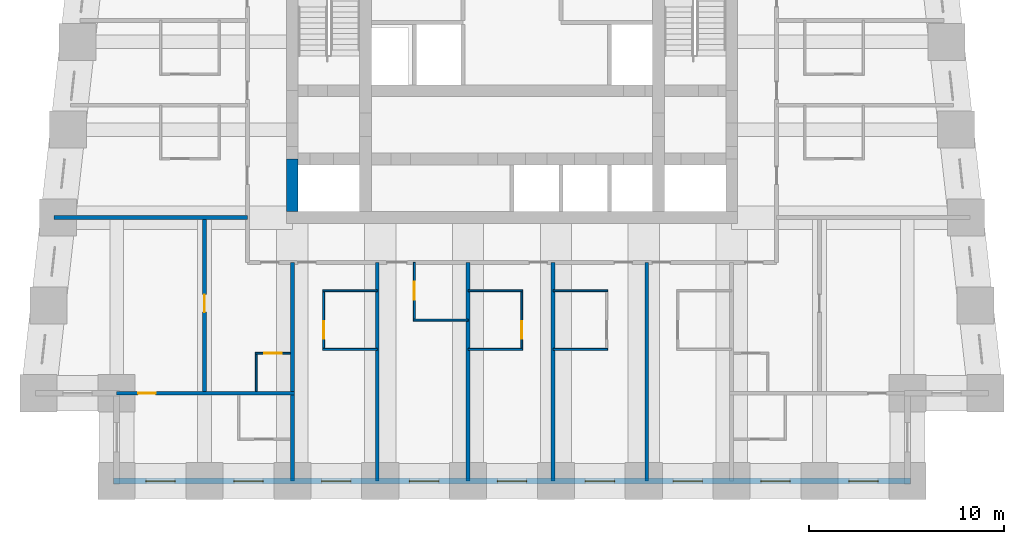
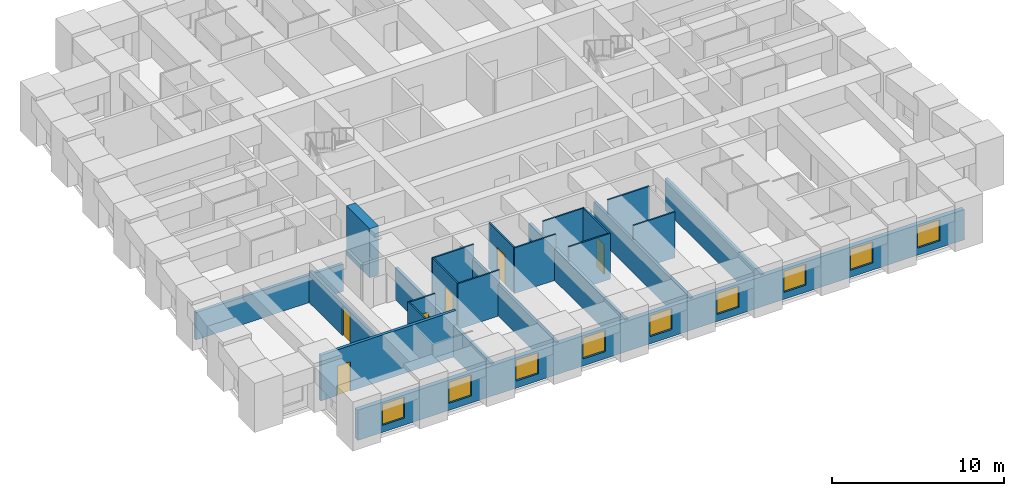
# One storey, part 2 of 8: 22 walls, 9 windows, 6 doors, 15 openings.
"""IFC4 building model written with IfcOpenShell, lengths in metres."""

from ifc_helpers import new_model, si_unit, direction, frame, frame_2d, origin, place, context, subcontext, project, spatial, rectangle, extrude, material, layer, layer_set, type_object, element, fill, save


model = new_model("IFC4")

# Units and contexts
model_context = context("Model", 3, precision=1e-05, world=origin(), true_north=direction((0.0, 1.0)))
body_context = subcontext(model_context, "Body", "Model", "MODEL_VIEW")
ifc_project = project(units=[si_unit("LENGTHUNIT", "METRE"), si_unit("AREAUNIT", "SQUARE_METRE"), si_unit("VOLUMEUNIT", "CUBIC_METRE"), si_unit("PLANEANGLEUNIT", "RADIAN"), si_unit("MASSUNIT", "GRAM", prefix="KILO")], contexts=[model_context])

# Site, building, storey
site_placement = place(None, origin())
site = spatial("IfcSite", under=ifc_project, at=site_placement, CompositionType="ELEMENT")
building_placement = place(site_placement, origin())
building = spatial("IfcBuilding", under=site, at=building_placement, Name="Kilele Tower Hotel", CompositionType="ELEMENT")
storey_placement = place(building_placement, frame((0.0, 0.0, 107.39990234375)))
storey = spatial("IfcBuildingStorey", under=building, at=storey_placement, Name="L27", CompositionType="ELEMENT", Elevation=107.39990234375)

# Walls
ifc_material_1 = material(Name="Moisture-resistant board")
ifc_layer_1 = layer(ifc_material_1, 0.10009765625)
ifc_layer_set_1 = layer_set([ifc_layer_1], Name="Moisture-resistant board")
wall_type_1 = type_object("IfcWallType", Name="Bathroom partition 100", PredefinedType="PLUMBINGWALL", material=ifc_layer_set_1)
for number, where, z_axis, x_axis, name in (
    (1, (15.050048828125, 9.75, 0.0), (0.0, 0.0, 1.0), (1.0, 0.0, 0.0), "Bathroom partition 100 L27"),
    (2, (15.050048828125, 6.75, 0.0), (0.0, 0.0, 1.0), (1.0, 0.0, 0.0), "Bathroom partition 100 L27"),
):
    element("IfcWall", number, at=place(storey_placement, frame(where, z_axis=z_axis, x_axis=x_axis)), inside=storey, type_object=wall_type_1, Name=name, PredefinedType="PLUMBINGWALL", context=body_context, shape_type="SweptSolid", body=[
        extrude(rectangle(XDim=2.800048828125, YDim=0.10009765625, at=frame_2d((1.39990234375, 0.0))), origin(), (0.0, 0.0, 1.0), 3.25),
    ])

# Wall, opening, door
wall_1_placement = place(storey_placement, frame((15.10009765625, 9.800048828125, 0.0), z_axis=(0.0, 0.0, 1.0), x_axis=(0.0, -1.0, 0.0)))
wall_1 = element("IfcWall", 3, at=wall_1_placement, inside=storey, type_object=wall_type_1, Name="Bathroom partition 100 L27", PredefinedType="PLUMBINGWALL", context=body_context, shape_type="SweptSolid", body=[
    extrude(rectangle(XDim=3.10009765625, YDim=0.10009765625, at=frame_2d((1.550048828125, 0.0))), origin(), (0.0, 0.0, 1.0), 3.25),
])
opening_1_placement = place(wall_1_placement, frame((2.5, 0.0, 0.0), z_axis=(0.0, 0.0, 1.0), x_axis=(-1.0, 0.0, 0.0)))
opening_1 = element("IfcOpeningElement", 4, at=opening_1_placement, cuts=wall_1, Name="Opening D2A", PredefinedType="OPENING", context=body_context, shape_type="SweptSolid", body=[
    extrude(rectangle(XDim=0.89990234375, YDim=2.10009765625, at=frame_2d((0.449951171875, 1.050048828125))), frame((0.0, 0.06005859375, 0.0), z_axis=(0.0, -1.0, 0.0), x_axis=(1.0, 0.0, 0.0)), (0.0, 0.0, 1.0), 0.1201171875),
])
ifc_material_2 = material(Name="Timber door leaf in hardwood frame", Category="wood")
door_type_1 = type_object("IfcDoorType", Name="Bathroom door 900", OperationType="SINGLE_SWING_LEFT", PredefinedType="DOOR", material=ifc_material_2)
door_1_placement = place(opening_1_placement, origin())
door_1 = element("IfcDoor", 5, at=door_1_placement, inside=storey, type_object=door_type_1, Name="Bathroom door 2701B", OperationType="SINGLE_SWING_LEFT", OverallHeight=2.10009765625, OverallWidth=0.89990234375, PredefinedType="DOOR", context=body_context, shape_type="SweptSolid", body=[
    extrude(rectangle(XDim=0.89990234375, YDim=2.10009765625, at=frame_2d((0.449951171875, 1.050048828125))), frame((0.0, 0.02490234375, 0.0), z_axis=(0.0, -1.0, 0.0), x_axis=(1.0, 0.0, 0.0)), (0.0, 0.0, 1.0), 0.050048828125),
])
fill(opening_1, door_1)

# Wall
wall_2_placement = place(storey_placement, frame((19.699951171875, 8.25, 0.0), z_axis=(0.0, 0.0, 1.0), x_axis=(1.0, 0.0, 0.0)))
element("IfcWall", 6, at=wall_2_placement, inside=storey, type_object=wall_type_1, Name="Bathroom partition 100 L27", PredefinedType="PLUMBINGWALL", context=body_context, shape_type="SweptSolid", body=[
    extrude(rectangle(XDim=2.800048828125, YDim=0.10009765625, at=frame_2d((1.39990234375, 0.0))), origin(), (0.0, 0.0, 1.0), 3.25),
])

# Wall, opening, door
wall_3_placement = place(storey_placement, frame((19.75, 11.199951171875, 0.0), z_axis=(0.0, 0.0, 1.0), x_axis=(0.0, -1.0, 0.0)))
wall_3 = element("IfcWall", 7, at=wall_3_placement, inside=storey, type_object=wall_type_1, Name="Bathroom partition 100 L27", PredefinedType="PLUMBINGWALL", context=body_context, shape_type="SweptSolid", body=[
    extrude(rectangle(XDim=3.0, YDim=0.10009765625, at=frame_2d((1.5, 0.0))), origin(), (0.0, 0.0, 1.0), 3.25),
])
opening_2_placement = place(wall_3_placement, frame((1.89990234375, 0.0, 0.0), z_axis=(0.0, 0.0, 1.0), x_axis=(-1.0, 0.0, 0.0)))
opening_2 = element("IfcOpeningElement", 8, at=opening_2_placement, cuts=wall_3, Name="Opening D2A", PredefinedType="OPENING", context=body_context, shape_type="SweptSolid", body=[
    extrude(rectangle(XDim=0.89990234375, YDim=2.10009765625, at=frame_2d((0.449951171875, 1.050048828125))), frame((0.0, 0.06005859375, 0.0), z_axis=(0.0, -1.0, 0.0), x_axis=(1.0, 0.0, 0.0)), (0.0, 0.0, 1.0), 0.1201171875),
])
door_2_placement = place(opening_2_placement, origin())
door_2 = element("IfcDoor", 9, at=door_2_placement, inside=storey, type_object=door_type_1, Name="Bathroom door 2702B", OperationType="SINGLE_SWING_RIGHT", OverallHeight=2.10009765625, OverallWidth=0.89990234375, PredefinedType="DOOR", context=body_context, shape_type="SweptSolid", body=[
    extrude(rectangle(XDim=0.89990234375, YDim=2.10009765625, at=frame_2d((0.449951171875, 1.050048828125))), frame((0.0, 0.02490234375, 0.0), z_axis=(0.0, -1.0, 0.0), x_axis=(1.0, 0.0, 0.0)), (0.0, 0.0, 1.0), 0.050048828125),
])
fill(opening_2, door_2)

# Walls
for number, where, z_axis, x_axis, name in (
    (10, (22.5, 9.75, 0.0), (0.0, 0.0, 1.0), (1.0, 0.0, 0.0), "Bathroom partition 100 L27"),
    (11, (22.5, 6.75, 0.0), (0.0, 0.0, 1.0), (1.0, 0.0, 0.0), "Bathroom partition 100 L27"),
):
    element("IfcWall", number, at=place(storey_placement, frame(where, z_axis=z_axis, x_axis=x_axis)), inside=storey, type_object=wall_type_1, Name=name, PredefinedType="PLUMBINGWALL", context=body_context, shape_type="SweptSolid", body=[
        extrude(rectangle(XDim=2.800048828125, YDim=0.10009765625, at=frame_2d((1.39990234375, 0.0))), origin(), (0.0, 0.0, 1.0), 3.25),
    ])

# Wall, opening, door
wall_4_placement = place(storey_placement, frame((25.25, 9.800048828125, 0.0), z_axis=(0.0, 0.0, 1.0), x_axis=(0.0, -1.0, 0.0)))
wall_4 = element("IfcWall", 12, at=wall_4_placement, inside=storey, type_object=wall_type_1, Name="Bathroom partition 100 L27", PredefinedType="PLUMBINGWALL", context=body_context, shape_type="SweptSolid", body=[
    extrude(rectangle(XDim=3.10009765625, YDim=0.10009765625, at=frame_2d((1.550048828125, 0.0))), origin(), (0.0, 0.0, 1.0), 3.25),
])
opening_3_placement = place(wall_4_placement, frame((1.60009765625, 0.0, 0.0)))
opening_3 = element("IfcOpeningElement", 13, at=opening_3_placement, cuts=wall_4, Name="Opening D2A", PredefinedType="OPENING", context=body_context, shape_type="SweptSolid", body=[
    extrude(rectangle(XDim=0.89990234375, YDim=2.10009765625, at=frame_2d((0.449951171875, 1.050048828125))), frame((0.0, 0.06005859375, 0.0), z_axis=(0.0, -1.0, 0.0), x_axis=(1.0, 0.0, 0.0)), (0.0, 0.0, 1.0), 0.1201171875),
])
door_3_placement = place(opening_3_placement, origin())
door_3 = element("IfcDoor", 14, at=door_3_placement, inside=storey, type_object=door_type_1, Name="Bathroom door 2703B", OperationType="SINGLE_SWING_RIGHT", OverallHeight=2.10009765625, OverallWidth=0.89990234375, PredefinedType="DOOR", context=body_context, shape_type="SweptSolid", body=[
    extrude(rectangle(XDim=0.89990234375, YDim=2.10009765625, at=frame_2d((0.449951171875, 1.050048828125))), frame((0.0, 0.02490234375, 0.0), z_axis=(0.0, -1.0, 0.0), x_axis=(1.0, 0.0, 0.0)), (0.0, 0.0, 1.0), 0.050048828125),
])
fill(opening_3, door_3)

# Walls
for number, where, z_axis, x_axis, name in (
    (15, (26.85009765625, 9.75, 0.0), (0.0, 0.0, 1.0), (1.0, 0.0, 0.0), "Bathroom partition 100 L27"),
    (16, (26.85009765625, 6.75, 0.0), (0.0, 0.0, 1.0), (1.0, 0.0, 0.0), "Bathroom partition 100 L27"),
):
    element("IfcWall", number, at=place(storey_placement, frame(where, z_axis=z_axis, x_axis=x_axis)), inside=storey, type_object=wall_type_1, Name=name, PredefinedType="PLUMBINGWALL", context=body_context, shape_type="SweptSolid", body=[
        extrude(rectangle(XDim=2.7998046875, YDim=0.10009765625, at=frame_2d((1.39990234375, 0.0))), origin(), (0.0, 0.0, 1.0), 3.25),
    ])
wall_5_placement = place(storey_placement, frame((11.64990234375, 4.60009765625, 0.0), z_axis=(0.0, 0.0, 1.0), x_axis=(0.0, 1.0, 0.0)))
element("IfcWall", 17, at=wall_5_placement, inside=storey, type_object=wall_type_1, Name="Bathroom partition 100 L27", PredefinedType="PLUMBINGWALL", context=body_context, shape_type="SweptSolid", body=[
    extrude(rectangle(XDim=2.0, YDim=0.10009765625, at=frame_2d((1.0, 0.0))), origin(), (0.0, 0.0, 1.0), 3.25),
])

# Wall, opening, door
wall_6_placement = place(storey_placement, frame((13.39990234375, 6.550048828125, 0.0), z_axis=(0.0, 0.0, 1.0), x_axis=(-1.0, 0.0, 0.0)))
wall_6 = element("IfcWall", 18, at=wall_6_placement, inside=storey, type_object=wall_type_1, Name="Bathroom partition 100 L27", PredefinedType="PLUMBINGWALL", context=body_context, shape_type="SweptSolid", body=[
    extrude(rectangle(XDim=1.7998046875, YDim=0.10009765625, at=frame_2d((0.89990234375, 0.0))), origin(), (0.0, 0.0, 1.0), 3.25),
])
opening_4_placement = place(wall_6_placement, frame((1.349853515625, 0.0, 0.0), z_axis=(0.0, 0.0, 1.0), x_axis=(-1.0, 0.0, 0.0)))
opening_4 = element("IfcOpeningElement", 19, at=opening_4_placement, cuts=wall_6, Name="Opening D2A", PredefinedType="OPENING", context=body_context, shape_type="SweptSolid", body=[
    extrude(rectangle(XDim=0.89990234375, YDim=2.10009765625, at=frame_2d((0.449951171875, 1.050048828125))), frame((0.0, 0.06005859375, 0.0), z_axis=(0.0, -1.0, 0.0), x_axis=(1.0, 0.0, 0.0)), (0.0, 0.0, 1.0), 0.1201171875),
])
door_4_placement = place(opening_4_placement, origin())
door_4 = element("IfcDoor", 20, at=door_4_placement, inside=storey, type_object=door_type_1, Name="Bathroom door 2717P", OperationType="SINGLE_SWING_RIGHT", OverallHeight=2.10009765625, OverallWidth=0.89990234375, PredefinedType="DOOR", context=body_context, shape_type="SweptSolid", body=[
    extrude(rectangle(XDim=0.89990234375, YDim=2.10009765625, at=frame_2d((0.449951171875, 1.050048828125))), frame((0.0, 0.02490234375, 0.0), z_axis=(0.0, -1.0, 0.0), x_axis=(1.0, 0.0, 0.0)), (0.0, 0.0, 1.0), 0.050048828125),
])
fill(opening_4, door_4)

# Wall
ifc_material_3 = material(Name="Concrete C60/75", Category="concrete")
ifc_layer_2 = layer(ifc_material_3, 0.60009765625)
ifc_layer_set_2 = layer_set([ifc_layer_2], Name="Concrete C60/75")
wall_type_2 = type_object("IfcWallType", Name="Core wall 600 C60/75", PredefinedType="SHEAR", material=ifc_layer_set_2)
wall_7_placement = place(storey_placement, frame((13.5, 16.5, 0.0), z_axis=(0.0, 0.0, 1.0), x_axis=(0.0, -1.0, 0.0)))
element("IfcWall", 21, at=wall_7_placement, inside=storey, type_object=wall_type_2, Name="Core wall W3 L27", PredefinedType="SHEAR", context=body_context, shape_type="SweptSolid", body=[
    extrude(rectangle(XDim=2.699951171875, YDim=0.60009765625, at=frame_2d((1.35009765625, 0.0))), origin(), (0.0, 0.0, 1.0), 3.5),
])

# Wall, opening, door
ifc_material_4 = material(Name="Blockwork, plastered both sides", Category="masonry")
ifc_layer_3 = layer(ifc_material_4, 0.199951171875)
ifc_layer_set_3 = layer_set([ifc_layer_3], Name="Blockwork, plastered both sides")
wall_type_3 = type_object("IfcWallType", Name="Partition wall 200", PredefinedType="PARTITIONING", material=ifc_layer_set_3)
wall_8_placement = place(storey_placement, frame((9.0, 4.60009765625, 0.0), z_axis=(0.0, 0.0, 1.0), x_axis=(0.0, 1.0, 0.0)))
wall_8 = element("IfcWall", 22, at=wall_8_placement, inside=storey, type_object=wall_type_3, Name="Partition wall 200 L27", PredefinedType="PARTITIONING", context=body_context, shape_type="SweptSolid", body=[
    extrude(rectangle(XDim=8.7998046875, YDim=0.199951171875, at=frame_2d((4.39990234375, 0.0))), origin(), (0.0, 0.0, 1.0), 2.25),
])
opening_5_placement = place(wall_8_placement, frame((4.050048828125, 0.0, 0.0)))
opening_5 = element("IfcOpeningElement", 23, at=opening_5_placement, cuts=wall_8, Name="Opening D3", PredefinedType="OPENING", context=body_context, shape_type="SweptSolid", body=[
    extrude(rectangle(XDim=0.89990234375, YDim=2.10009765625, at=frame_2d((0.449951171875, 1.050048828125))), frame((0.0, 0.10986328125, 0.0), z_axis=(0.0, -1.0, 0.0), x_axis=(1.0, 0.0, 0.0)), (0.0, 0.0, 1.0), 0.219970703125),
])
ifc_material_5 = material(Name="Timber door leaf in hardwood frame", Category="wood")
door_type_2 = type_object("IfcDoorType", Name="Suite internal door 900", OperationType="SINGLE_SWING_LEFT", PredefinedType="DOOR", material=ifc_material_5)
door_5_placement = place(opening_5_placement, origin())
door_5 = element("IfcDoor", 24, at=door_5_placement, inside=storey, type_object=door_type_2, Name="Suite door 2718", OperationType="SINGLE_SWING_RIGHT", OverallHeight=2.10009765625, OverallWidth=0.89990234375, PredefinedType="DOOR", context=body_context, shape_type="SweptSolid", body=[
    extrude(rectangle(XDim=0.89990234375, YDim=2.10009765625, at=frame_2d((0.449951171875, 1.050048828125))), frame((0.0, 0.02490234375, 0.0), z_axis=(0.0, -1.0, 0.0), x_axis=(1.0, 0.0, 0.0)), (0.0, 0.0, 1.0), 0.050048828125),
])
fill(opening_5, door_5)

# Walls
ifc_material_6 = material(Name="Blockwork, plastered both sides", Category="masonry")
ifc_layer_4 = layer(ifc_material_6, 0.199951171875)
ifc_layer_set_4 = layer_set([ifc_layer_4], Name="Blockwork, plastered both sides")
wall_type_4 = type_object("IfcWallType", Name="Party wall 200", PredefinedType="PARTITIONING", material=ifc_layer_set_4)
for number, where, z_axis, x_axis, name in (
    (25, (17.85009765625, 11.199951171875, 0.0), (0.0, 0.0, 1.0), (0.0, -1.0, 0.0), "Party wall 200 L27"),
    (26, (22.5, 11.199951171875, 0.0), (0.0, 0.0, 1.0), (0.0, -1.0, 0.0), "Party wall 200 L27"),
    (27, (26.85009765625, 11.199951171875, 0.0), (0.0, 0.0, 1.0), (0.0, -1.0, 0.0), "Party wall 200 L27"),
    (28, (31.64990234375, 11.199951171875, 0.0), (0.0, 0.0, 1.0), (0.0, -1.0, 0.0), "Party wall 200 L27"),
):
    element("IfcWall", number, at=place(storey_placement, frame(where, z_axis=z_axis, x_axis=x_axis)), inside=storey, type_object=wall_type_4, Name=name, PredefinedType="PARTITIONING", context=body_context, shape_type="SweptSolid", body=[
        extrude(rectangle(XDim=11.199951171875, YDim=0.199951171875, at=frame_2d((5.60009765625, 0.0))), origin(), (0.0, 0.0, 1.0), 2.25),
    ])
wall_9_placement = place(storey_placement, frame((11.199951171875, 13.5, 0.0), z_axis=(0.0, 0.0, 1.0), x_axis=(-1.0, 0.0, 0.0)))
element("IfcWall", 29, at=wall_9_placement, inside=storey, type_object=wall_type_4, Name="Party wall 200 L27", PredefinedType="PARTITIONING", context=body_context, shape_type="SweptSolid", body=[
    extrude(rectangle(XDim=9.921142578125, YDim=0.199951171875, at=frame_2d((4.96044921875, 0.0))), origin(), (0.0, 0.0, 1.0), 1.9501953125),
])
wall_10_placement = place(storey_placement, frame((13.5, 11.199951171875, 0.0), z_axis=(0.0, 0.0, 1.0), x_axis=(0.0, -1.0, 0.0)))
element("IfcWall", 30, at=wall_10_placement, inside=storey, type_object=wall_type_4, Name="Party wall 200 L27", PredefinedType="PARTITIONING", context=body_context, shape_type="SweptSolid", body=[
    extrude(rectangle(XDim=11.199951171875, YDim=0.199951171875, at=frame_2d((5.60009765625, 0.0))), origin(), (0.0, 0.0, 1.0), 2.25),
])

# Wall, opening, door
wall_11_placement = place(storey_placement, frame((13.60009765625, 4.5, 0.0), z_axis=(0.0, 0.0, 1.0), x_axis=(-1.0, 0.0, 0.0)))
wall_11 = element("IfcWall", 31, at=wall_11_placement, inside=storey, type_object=wall_type_4, Name="Party wall 200 L27", PredefinedType="PARTITIONING", context=body_context, shape_type="SweptSolid", body=[
    extrude(rectangle(XDim=9.10009765625, YDim=0.199951171875, at=frame_2d((4.550048828125, 0.0))), origin(), (0.0, 0.0, 1.0), 3.25),
])
opening_6_placement = place(wall_11_placement, frame((7.10009765625, 0.0, 0.0)))
opening_6 = element("IfcOpeningElement", 32, at=opening_6_placement, cuts=wall_11, Name="Opening D3", PredefinedType="OPENING", context=body_context, shape_type="SweptSolid", body=[
    extrude(rectangle(XDim=0.89990234375, YDim=2.10009765625, at=frame_2d((0.449951171875, 1.050048828125))), frame((0.0, 0.10986328125, 0.0), z_axis=(0.0, -1.0, 0.0), x_axis=(1.0, 0.0, 0.0)), (0.0, 0.0, 1.0), 0.219970703125),
])
door_6_placement = place(opening_6_placement, origin())
door_6 = element("IfcDoor", 33, at=door_6_placement, inside=storey, type_object=door_type_2, Name="Suite door 2719", OperationType="SINGLE_SWING_RIGHT", OverallHeight=2.10009765625, OverallWidth=0.89990234375, PredefinedType="DOOR", context=body_context, shape_type="SweptSolid", body=[
    extrude(rectangle(XDim=0.89990234375, YDim=2.10009765625, at=frame_2d((0.449951171875, 1.050048828125))), frame((0.0, 0.02490234375, 0.0), z_axis=(0.0, -1.0, 0.0), x_axis=(1.0, 0.0, 0.0)), (0.0, 0.0, 1.0), 0.050048828125),
])
fill(opening_6, door_6)

# Wall, openings, windows
ifc_material_7 = material(Name="Concrete C40/50 precast", Category="concrete")
ifc_layer_5 = layer(ifc_material_7, 0.260009765625, Name="Precast backing", Category="LoadBearing")
ifc_material_8 = material(Name="Reconstituted stone finish", Category="masonry")
ifc_layer_6 = layer(ifc_material_8, 0.0400390625, Name="Face mix", Category="Finish")
ifc_layer_set_5 = layer_set([ifc_layer_5, ifc_layer_6], Name="Precast concrete C40/50, reconstituted stone finish")
wall_type_5 = type_object("IfcWallType", Name="Precast stone facade wall 300", PredefinedType="STANDARD", material=ifc_layer_set_5)
wall_12_placement = place(storey_placement, frame((4.35009765625, 0.0, 0.0), z_axis=(0.0, 0.0, 1.0), x_axis=(1.0, 0.0, 0.0)))
wall_12 = element("IfcWall", 34, at=wall_12_placement, inside=storey, type_object=wall_type_5, Name="Facade wall L27 edge 3", PredefinedType="STANDARD", context=body_context, shape_type="SweptSolid", body=[
    extrude(rectangle(XDim=40.7998046875, YDim=0.300048828125, at=frame_2d((20.39990234375, 0.0))), origin(), (0.0, 0.0, 1.0), 2.150146484375),
])
opening_7_placement = place(wall_12_placement, frame((1.64990234375, 0.0, 0.5)))
opening_7 = element("IfcOpeningElement", 35, at=opening_7_placement, cuts=wall_12, Name="Opening W2", PredefinedType="OPENING", context=body_context, shape_type="SweptSolid", body=[
    extrude(rectangle(XDim=1.5, YDim=1.5, at=frame_2d((0.75, 0.75))), frame((0.0, 0.159912109375, 0.0), z_axis=(0.0, -1.0, 0.0), x_axis=(1.0, 0.0, 0.0)), (0.0, 0.0, 1.0), 0.320068359375),
])
opening_8_placement = place(wall_12_placement, frame((6.14990234375, 0.0, 0.5)))
opening_8 = element("IfcOpeningElement", 36, at=opening_8_placement, cuts=wall_12, Name="Opening W2", PredefinedType="OPENING", context=body_context, shape_type="SweptSolid", body=[
    extrude(rectangle(XDim=1.5, YDim=1.5, at=frame_2d((0.75, 0.75))), frame((0.0, 0.159912109375, 0.0), z_axis=(0.0, -1.0, 0.0), x_axis=(1.0, 0.0, 0.0)), (0.0, 0.0, 1.0), 0.320068359375),
])
opening_9_placement = place(wall_12_placement, frame((10.64990234375, 0.0, 0.5)))
opening_9 = element("IfcOpeningElement", 37, at=opening_9_placement, cuts=wall_12, Name="Opening W2", PredefinedType="OPENING", context=body_context, shape_type="SweptSolid", body=[
    extrude(rectangle(XDim=1.5, YDim=1.5, at=frame_2d((0.75, 0.75))), frame((0.0, 0.159912109375, 0.0), z_axis=(0.0, -1.0, 0.0), x_axis=(1.0, 0.0, 0.0)), (0.0, 0.0, 1.0), 0.320068359375),
])
opening_10_placement = place(wall_12_placement, frame((15.14990234375, 0.0, 0.5)))
opening_10 = element("IfcOpeningElement", 38, at=opening_10_placement, cuts=wall_12, Name="Opening W2", PredefinedType="OPENING", context=body_context, shape_type="SweptSolid", body=[
    extrude(rectangle(XDim=1.5, YDim=1.5, at=frame_2d((0.75, 0.75))), frame((0.0, 0.159912109375, 0.0), z_axis=(0.0, -1.0, 0.0), x_axis=(1.0, 0.0, 0.0)), (0.0, 0.0, 1.0), 0.320068359375),
])
opening_11_placement = place(wall_12_placement, frame((19.64990234375, 0.0, 0.5)))
opening_11 = element("IfcOpeningElement", 39, at=opening_11_placement, cuts=wall_12, Name="Opening W2", PredefinedType="OPENING", context=body_context, shape_type="SweptSolid", body=[
    extrude(rectangle(XDim=1.5, YDim=1.5, at=frame_2d((0.75, 0.75))), frame((0.0, 0.159912109375, 0.0), z_axis=(0.0, -1.0, 0.0), x_axis=(1.0, 0.0, 0.0)), (0.0, 0.0, 1.0), 0.320068359375),
])
opening_12_placement = place(wall_12_placement, frame((24.14990234375, 0.0, 0.5)))
opening_12 = element("IfcOpeningElement", 40, at=opening_12_placement, cuts=wall_12, Name="Opening W2", PredefinedType="OPENING", context=body_context, shape_type="SweptSolid", body=[
    extrude(rectangle(XDim=1.5, YDim=1.5, at=frame_2d((0.75, 0.75))), frame((0.0, 0.159912109375, 0.0), z_axis=(0.0, -1.0, 0.0), x_axis=(1.0, 0.0, 0.0)), (0.0, 0.0, 1.0), 0.320068359375),
])
opening_13_placement = place(wall_12_placement, frame((28.64990234375, 0.0, 0.5)))
opening_13 = element("IfcOpeningElement", 41, at=opening_13_placement, cuts=wall_12, Name="Opening W2", PredefinedType="OPENING", context=body_context, shape_type="SweptSolid", body=[
    extrude(rectangle(XDim=1.5, YDim=1.5, at=frame_2d((0.75, 0.75))), frame((0.0, 0.159912109375, 0.0), z_axis=(0.0, -1.0, 0.0), x_axis=(1.0, 0.0, 0.0)), (0.0, 0.0, 1.0), 0.320068359375),
])
opening_14_placement = place(wall_12_placement, frame((33.14990234375, 0.0, 0.5)))
opening_14 = element("IfcOpeningElement", 42, at=opening_14_placement, cuts=wall_12, Name="Opening W2", PredefinedType="OPENING", context=body_context, shape_type="SweptSolid", body=[
    extrude(rectangle(XDim=1.5, YDim=1.5, at=frame_2d((0.75, 0.75))), frame((0.0, 0.159912109375, 0.0), z_axis=(0.0, -1.0, 0.0), x_axis=(1.0, 0.0, 0.0)), (0.0, 0.0, 1.0), 0.320068359375),
])
opening_15_placement = place(wall_12_placement, frame((37.64990234375, 0.0, 0.5)))
opening_15 = element("IfcOpeningElement", 43, at=opening_15_placement, cuts=wall_12, Name="Opening W2", PredefinedType="OPENING", context=body_context, shape_type="SweptSolid", body=[
    extrude(rectangle(XDim=1.5, YDim=1.5, at=frame_2d((0.75, 0.75))), frame((0.0, 0.159912109375, 0.0), z_axis=(0.0, -1.0, 0.0), x_axis=(1.0, 0.0, 0.0)), (0.0, 0.0, 1.0), 0.320068359375),
])
ifc_material_9 = material(Name="Aluminium frame, clear double glazing", Category="aluminium")
window_type = type_object("IfcWindowType", Name="Window W2 1500 x 1500", PartitioningType="SINGLE_PANEL", PredefinedType="WINDOW", material=ifc_material_9)
window_1_placement = place(opening_7_placement, origin())
window_1 = element("IfcWindow", 44, at=window_1_placement, inside=storey, type_object=window_type, Name="Window L27", OverallHeight=1.5, OverallWidth=1.5, PartitioningType="SINGLE_PANEL", PredefinedType="WINDOW", context=body_context, shape_type="SweptSolid", body=[
    extrude(rectangle(XDim=1.5, YDim=1.5, at=frame_2d((0.75, 0.75))), frame((0.0, 0.030029296875, 0.0), z_axis=(0.0, -1.0, 0.0), x_axis=(1.0, 0.0, 0.0)), (0.0, 0.0, 1.0), 0.06005859375),
])
fill(opening_7, window_1)
window_2_placement = place(opening_8_placement, origin())
window_2 = element("IfcWindow", 45, at=window_2_placement, inside=storey, type_object=window_type, Name="Window L27", OverallHeight=1.5, OverallWidth=1.5, PartitioningType="SINGLE_PANEL", PredefinedType="WINDOW", context=body_context, shape_type="SweptSolid", body=[
    extrude(rectangle(XDim=1.5, YDim=1.5, at=frame_2d((0.75, 0.75))), frame((0.0, 0.030029296875, 0.0), z_axis=(0.0, -1.0, 0.0), x_axis=(1.0, 0.0, 0.0)), (0.0, 0.0, 1.0), 0.06005859375),
])
fill(opening_8, window_2)
window_3_placement = place(opening_9_placement, origin())
window_3 = element("IfcWindow", 46, at=window_3_placement, inside=storey, type_object=window_type, Name="Window L27", OverallHeight=1.5, OverallWidth=1.5, PartitioningType="SINGLE_PANEL", PredefinedType="WINDOW", context=body_context, shape_type="SweptSolid", body=[
    extrude(rectangle(XDim=1.5, YDim=1.5, at=frame_2d((0.75, 0.75))), frame((0.0, 0.030029296875, 0.0), z_axis=(0.0, -1.0, 0.0), x_axis=(1.0, 0.0, 0.0)), (0.0, 0.0, 1.0), 0.06005859375),
])
fill(opening_9, window_3)
window_4_placement = place(opening_10_placement, origin())
window_4 = element("IfcWindow", 47, at=window_4_placement, inside=storey, type_object=window_type, Name="Window L27", OverallHeight=1.5, OverallWidth=1.5, PartitioningType="SINGLE_PANEL", PredefinedType="WINDOW", context=body_context, shape_type="SweptSolid", body=[
    extrude(rectangle(XDim=1.5, YDim=1.5, at=frame_2d((0.75, 0.75))), frame((0.0, 0.030029296875, 0.0), z_axis=(0.0, -1.0, 0.0), x_axis=(1.0, 0.0, 0.0)), (0.0, 0.0, 1.0), 0.06005859375),
])
fill(opening_10, window_4)
window_5_placement = place(opening_11_placement, origin())
window_5 = element("IfcWindow", 48, at=window_5_placement, inside=storey, type_object=window_type, Name="Window L27", OverallHeight=1.5, OverallWidth=1.5, PartitioningType="SINGLE_PANEL", PredefinedType="WINDOW", context=body_context, shape_type="SweptSolid", body=[
    extrude(rectangle(XDim=1.5, YDim=1.5, at=frame_2d((0.75, 0.75))), frame((0.0, 0.030029296875, 0.0), z_axis=(0.0, -1.0, 0.0), x_axis=(1.0, 0.0, 0.0)), (0.0, 0.0, 1.0), 0.06005859375),
])
fill(opening_11, window_5)
window_6_placement = place(opening_12_placement, origin())
window_6 = element("IfcWindow", 49, at=window_6_placement, inside=storey, type_object=window_type, Name="Window L27", OverallHeight=1.5, OverallWidth=1.5, PartitioningType="SINGLE_PANEL", PredefinedType="WINDOW", context=body_context, shape_type="SweptSolid", body=[
    extrude(rectangle(XDim=1.5, YDim=1.5, at=frame_2d((0.75, 0.75))), frame((0.0, 0.030029296875, 0.0), z_axis=(0.0, -1.0, 0.0), x_axis=(1.0, 0.0, 0.0)), (0.0, 0.0, 1.0), 0.06005859375),
])
fill(opening_12, window_6)
window_7_placement = place(opening_13_placement, origin())
window_7 = element("IfcWindow", 50, at=window_7_placement, inside=storey, type_object=window_type, Name="Window L27", OverallHeight=1.5, OverallWidth=1.5, PartitioningType="SINGLE_PANEL", PredefinedType="WINDOW", context=body_context, shape_type="SweptSolid", body=[
    extrude(rectangle(XDim=1.5, YDim=1.5, at=frame_2d((0.75, 0.75))), frame((0.0, 0.030029296875, 0.0), z_axis=(0.0, -1.0, 0.0), x_axis=(1.0, 0.0, 0.0)), (0.0, 0.0, 1.0), 0.06005859375),
])
fill(opening_13, window_7)
window_8_placement = place(opening_14_placement, origin())
window_8 = element("IfcWindow", 51, at=window_8_placement, inside=storey, type_object=window_type, Name="Window L27", OverallHeight=1.5, OverallWidth=1.5, PartitioningType="SINGLE_PANEL", PredefinedType="WINDOW", context=body_context, shape_type="SweptSolid", body=[
    extrude(rectangle(XDim=1.5, YDim=1.5, at=frame_2d((0.75, 0.75))), frame((0.0, 0.030029296875, 0.0), z_axis=(0.0, -1.0, 0.0), x_axis=(1.0, 0.0, 0.0)), (0.0, 0.0, 1.0), 0.06005859375),
])
fill(opening_14, window_8)
window_9_placement = place(opening_15_placement, origin())
window_9 = element("IfcWindow", 52, at=window_9_placement, inside=storey, type_object=window_type, Name="Window L27", OverallHeight=1.5, OverallWidth=1.5, PartitioningType="SINGLE_PANEL", PredefinedType="WINDOW", context=body_context, shape_type="SweptSolid", body=[
    extrude(rectangle(XDim=1.5, YDim=1.5, at=frame_2d((0.75, 0.75))), frame((0.0, 0.030029296875, 0.0), z_axis=(0.0, -1.0, 0.0), x_axis=(1.0, 0.0, 0.0)), (0.0, 0.0, 1.0), 0.06005859375),
])
fill(opening_15, window_9)

save(model, "model.ifc")
